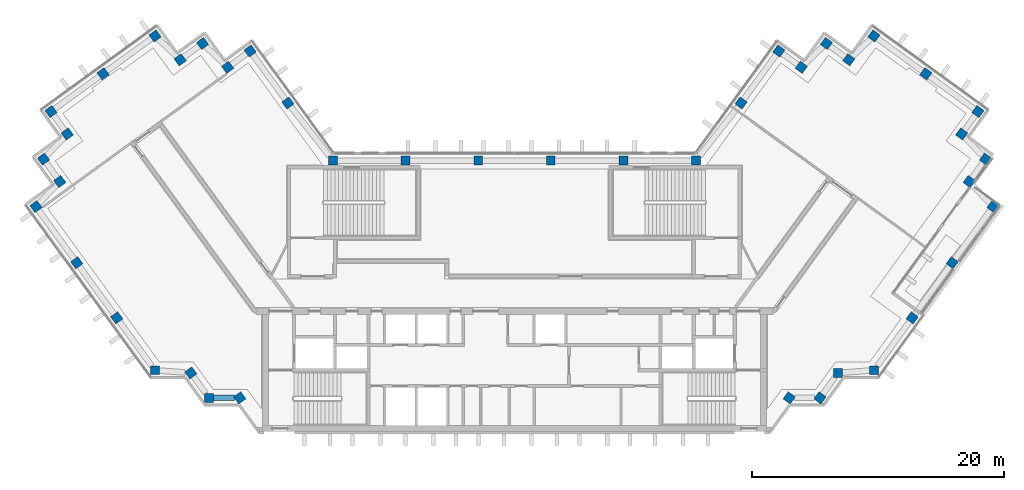
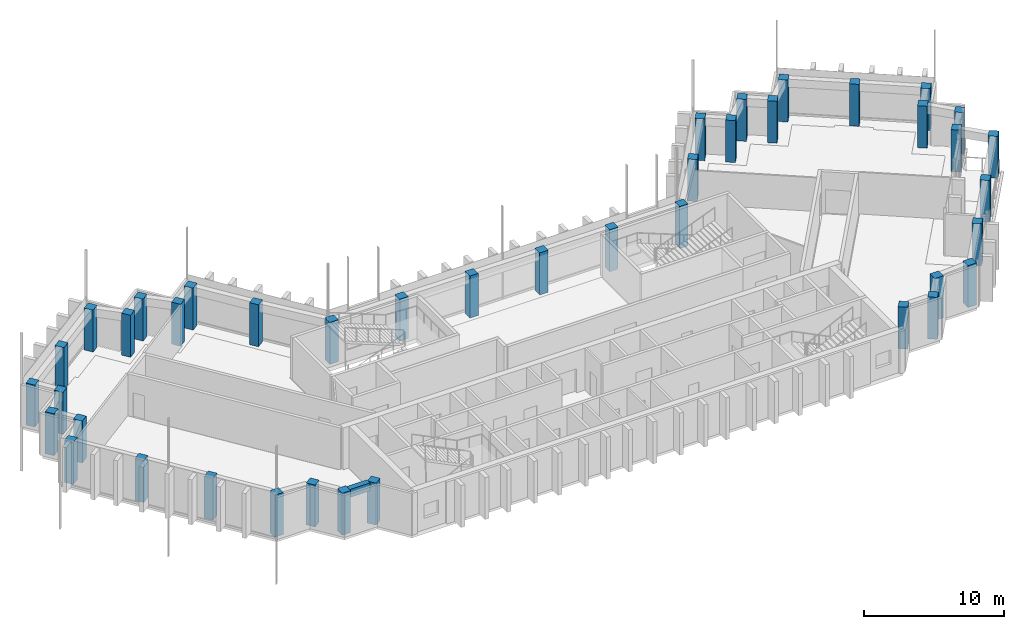
# One storey, part 1 of 14: 42 columns, 1 beam.
"""IFC4 building model written with IfcOpenShell, lengths in metres."""

from ifc_helpers import new_model, si_unit, direction, frame, origin, origin_2d, place, context, subcontext, project, spatial, rectangle, extrude, material, material_profile, profile_set, type_object, element, save


model = new_model("IFC4")

# Units and contexts
model_context = context("Model", 3, precision=1e-05, world=origin(), true_north=direction((0.0, 1.0)))
body_context = subcontext(model_context, "Body", "Model", "MODEL_VIEW")
ifc_project = project(units=[si_unit("LENGTHUNIT", "METRE"), si_unit("AREAUNIT", "SQUARE_METRE"), si_unit("VOLUMEUNIT", "CUBIC_METRE"), si_unit("PLANEANGLEUNIT", "RADIAN"), si_unit("MASSUNIT", "GRAM", prefix="KILO")], contexts=[model_context])

# Site, building, storey
site_placement = place(None, origin())
site = spatial("IfcSite", under=ifc_project, at=site_placement, CompositionType="ELEMENT")
building_placement = place(site_placement, origin())
building = spatial("IfcBuilding", under=site, at=building_placement, Name="Quipu Civic Tower", CompositionType="ELEMENT")
storey_placement = place(building_placement, frame((0.0, 0.0, 311.0)))
storey = spatial("IfcBuildingStorey", under=building, at=storey_placement, Name="L72", CompositionType="ELEMENT", Elevation=311.0)

# Columns
ifc_material_1 = material(Name="Concrete C40/50", Category="concrete")
ifc_material_profile_1 = material_profile(ifc_material_1, rectangle(XDim=0.699951171875, YDim=0.699951171875, at=origin_2d()), Name="RC700x700")
ifc_profile_set_1 = profile_set([ifc_material_profile_1], Name="Concrete C40/50")
column_type = type_object("IfcColumnType", Name="Perimeter column RC 700x700 C40/50", PredefinedType="COLUMN", material=ifc_profile_set_1)
for number, where, z_axis, x_axis, name in (
    (1, (-17.9736328125, 15.074951171875, 0.0), (0.0, 0.0, 1.0), (-0.587785252292, 0.809016994375, 0.0), "Column L72 W-IN-01"),
    (2, (-20.969970703125, 19.195068359375, 0.0), (0.0, 0.0, 1.0), (-0.587785252292, 0.809016994375, 0.0), "Column L72 T-Wi.0-W22"),
    (3, (-22.749267578125, 17.904296875, 0.0), (0.0, 0.0, 1.0), (-0.587785252292, 0.809016994375, 0.0), "Column L72 T-Wi.1-W22"),
    (4, (-24.739990234375, 19.794921875, 0.0), (0.0, 0.0, 1.0), (-0.587785252292, 0.809016994375, 0.0), "Column L72 T-Wi.2-W22"),
    (5, (-26.51904296875, 18.50048828125, 0.0), (0.0, 0.0, 1.0), (-0.587785252292, 0.809016994375, 0.0), "Column L72 T-Wi.3-W22"),
    (6, (-28.510009765625, 20.389892578125, 0.0), (0.0, 0.0, 1.0), (-0.809016994375, -0.587785252292, 0.0), "Column L72 T-Wi.4-W22"),
    (7, (-32.636962890625, 17.39306640625, 0.0), (0.0, 0.0, 1.0), (-0.809016994375, -0.587785252292, 0.0), "Column L72 TIP-W-01-W22"),
    (8, (-36.764892578125, 14.39501953125, 0.0), (0.0, 0.0, 1.0), (0.587785252292, -0.809016994375, 0.0), "Column L72 T-Wo.0-W22"),
    (9, (-35.470703125, 12.616455078125, 0.0), (0.0, 0.0, 1.0), (-0.809016994375, -0.587785252292, 0.0), "Column L72 T-Wo.1-W22"),
    (10, (-37.360107421875, 10.625, 0.0), (0.0, 0.0, 1.0), (0.587785252292, -0.809016994375, 0.0), "Column L72 T-Wo.2-W22"),
    (11, (-36.068115234375, 8.843994140625, 0.0), (0.0, 0.0, 1.0), (0.587785252292, -0.809016994375, 0.0), "Column L72 T-Wo.3-W22"),
    (12, (-37.9599609375, 6.85498046875, 0.0), (0.0, 0.0, 1.0), (0.587785252292, -0.809016994375, 0.0), "Column L72 T-Wo.4-W22"),
    (13, (-34.722412109375, 2.39990234375, 0.0), (0.0, 0.0, 1.0), (0.587785252292, -0.809016994375, 0.0), "Column L72 W-OUT-02"),
    (14, (-31.54833984375, -1.96875, 0.0), (0.0, 0.0, 1.0), (0.587785252292, -0.809016994375, 0.0), "Column L72 W-OUT-01"),
    (15, (-28.52490234375, -6.1298828125, 0.0), (0.0, 0.0, 1.0), (1.0, 0.0, 0.0), "Column L72 J-Wo.0"),
    (16, (-25.67431640625, -6.3369140625, 0.0), (0.0, 0.0, 1.0), (0.587785252292, -0.809016994375, 0.0), "Column L72 J-Wo.1"),
    (17, (-24.235107421875, -8.31494140625, 0.0), (0.0, 0.0, 1.0), (1.0, 0.0, 0.0), "Column L72 J-Wo.2"),
    (18, (-21.791748046875, -8.31494140625, 0.0), (0.0, 0.0, 1.0), (0.587785252292, -0.809016994375, 0.0), "Column L72 J-Wo.3"),
    (19, (21.791748046875, -8.31494140625, 0.0), (0.0, 0.0, 1.0), (0.587785252292, 0.809016994375, 0.0), "Column L72 J-Eo.1"),
    (20, (24.235107421875, -8.31494140625, 0.0), (0.0, 0.0, 1.0), (0.587785252292, 0.809016994375, 0.0), "Column L72 J-Eo.2"),
    (21, (25.67431640625, -6.3369140625, 0.0), (0.0, 0.0, 1.0), (1.0, 0.0, 0.0), "Column L72 J-Eo.3"),
    (22, (28.52490234375, -6.1298828125, 0.0), (0.0, 0.0, 1.0), (1.0, 0.0, 0.0), "Column L72 J-Eo.4"),
    (23, (31.54833984375, -1.96875, 0.0), (0.0, 0.0, 1.0), (0.587785252292, 0.809016994375, 0.0), "Column L72 E-OUT-01"),
    (24, (34.722412109375, 2.39990234375, 0.0), (0.0, 0.0, 1.0), (0.587785252292, 0.809016994375, 0.0), "Column L72 E-OUT-02"),
    (25, (37.9599609375, 6.85498046875, 0.0), (0.0, 0.0, 1.0), (0.587785252292, 0.809016994375, 0.0), "Column L72 T-Eo.0-E22"),
    (26, (36.068115234375, 8.843994140625, 0.0), (0.0, 0.0, 1.0), (0.587785252292, 0.809016994375, 0.0), "Column L72 T-Eo.1-E22"),
    (27, (37.360107421875, 10.625, 0.0), (0.0, 0.0, 1.0), (0.587785252292, 0.809016994375, 0.0), "Column L72 T-Eo.2-E22"),
    (28, (35.470703125, 12.616455078125, 0.0), (0.0, 0.0, 1.0), (-0.809016994375, 0.587785252292, 0.0), "Column L72 T-Eo.3-E22"),
    (29, (36.764892578125, 14.39501953125, 0.0), (0.0, 0.0, 1.0), (-0.809016994375, 0.587785252292, 0.0), "Column L72 T-Eo.4-E22"),
    (30, (32.636962890625, 17.39306640625, 0.0), (0.0, 0.0, 1.0), (-0.809016994375, 0.587785252292, 0.0), "Column L72 TIP-E-01-E22"),
    (31, (28.510009765625, 20.389892578125, 0.0), (0.0, 0.0, 1.0), (-0.587785252292, -0.809016994375, 0.0), "Column L72 T-Ei.0-E22"),
    (32, (26.51904296875, 18.50048828125, 0.0), (0.0, 0.0, 1.0), (-0.809016994375, 0.587785252292, 0.0), "Column L72 T-Ei.1-E22"),
    (33, (24.739990234375, 19.794921875, 0.0), (0.0, 0.0, 1.0), (-0.587785252292, -0.809016994375, 0.0), "Column L72 T-Ei.2-E22"),
    (34, (22.749267578125, 17.904296875, 0.0), (0.0, 0.0, 1.0), (-0.587785252292, -0.809016994375, 0.0), "Column L72 T-Ei.3-E22"),
    (35, (20.969970703125, 19.195068359375, 0.0), (0.0, 0.0, 1.0), (-0.587785252292, -0.809016994375, 0.0), "Column L72 T-Ei.4-E22"),
    (36, (17.9736328125, 15.074951171875, 0.0), (0.0, 0.0, 1.0), (-0.587785252292, -0.809016994375, 0.0), "Column L72 E-IN-01"),
    (37, (14.395263671875, 10.5, 0.0), (0.0, 0.0, 1.0), (-1.0, 0.0, 0.0), "Column L72 J-Ei.0"),
    (38, (8.63720703125, 10.5, 0.0), (0.0, 0.0, 1.0), (-1.0, 0.0, 0.0), "Column L72 FRONT-01"),
    (39, (2.87890625, 10.5, 0.0), (0.0, 0.0, 1.0), (-1.0, 0.0, 0.0), "Column L72 FRONT-02"),
    (40, (-2.87890625, 10.5, 0.0), (0.0, 0.0, 1.0), (-1.0, 0.0, 0.0), "Column L72 FRONT-03"),
    (41, (-8.63720703125, 10.5, 0.0), (0.0, 0.0, 1.0), (-1.0, 0.0, 0.0), "Column L72 FRONT-04"),
    (42, (-14.395263671875, 10.5, 0.0), (0.0, 0.0, 1.0), (-1.0, 0.0, 0.0), "Column L72 J-Wi.0"),
):
    element("IfcColumn", number, at=place(storey_placement, frame(where, z_axis=z_axis, x_axis=x_axis)), inside=storey, type_object=column_type, Name=name, PredefinedType="COLUMN", context=body_context, shape_type="SweptSolid", body=[
        extrude(rectangle(XDim=0.699951171875, YDim=0.699951171875, at=origin_2d()), origin(), (0.0, 0.0, 1.0), 3.64990234375),
    ])

# Beam
ifc_material_2 = material(Name="Concrete C50/60", Category="concrete")
ifc_material_profile_2 = material_profile(ifc_material_2, rectangle(XDim=0.449951171875, YDim=0.699951171875, at=origin_2d()), Name="RC450x700")
ifc_profile_set_2 = profile_set([ifc_material_profile_2], Name="Concrete C50/60")
beam_type = type_object("IfcBeamType", Name="Spandrel beam RC 450x700 C50/60", PredefinedType="SPANDREL", material=ifc_profile_set_2)
beam_placement = place(storey_placement, frame((-23.885009765625, -8.31494140625, 3.300048828125), z_axis=(1.0, 0.0, 0.0), x_axis=(0.0, 1.0, 0.0)))
element("IfcBeam", 43, at=beam_placement, inside=storey, type_object=beam_type, Name="Spandrel beam L72 J-Wo.2 to J-Wo.3", PredefinedType="SPANDREL", context=body_context, shape_type="SweptSolid", body=[
    extrude(rectangle(XDim=0.449951171875, YDim=0.699951171875, at=origin_2d()), origin(), (0.0, 0.0, 1.0), 1.66064453125),
])

save(model, "model.ifc")
